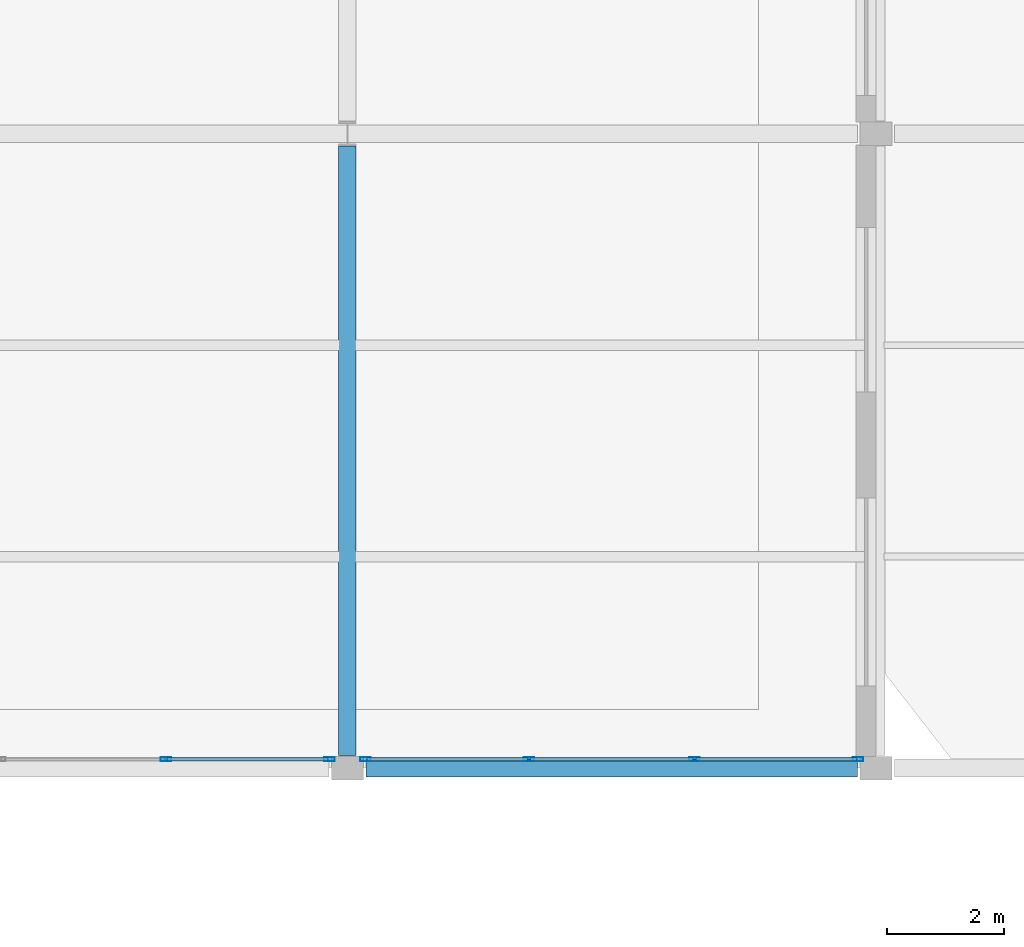
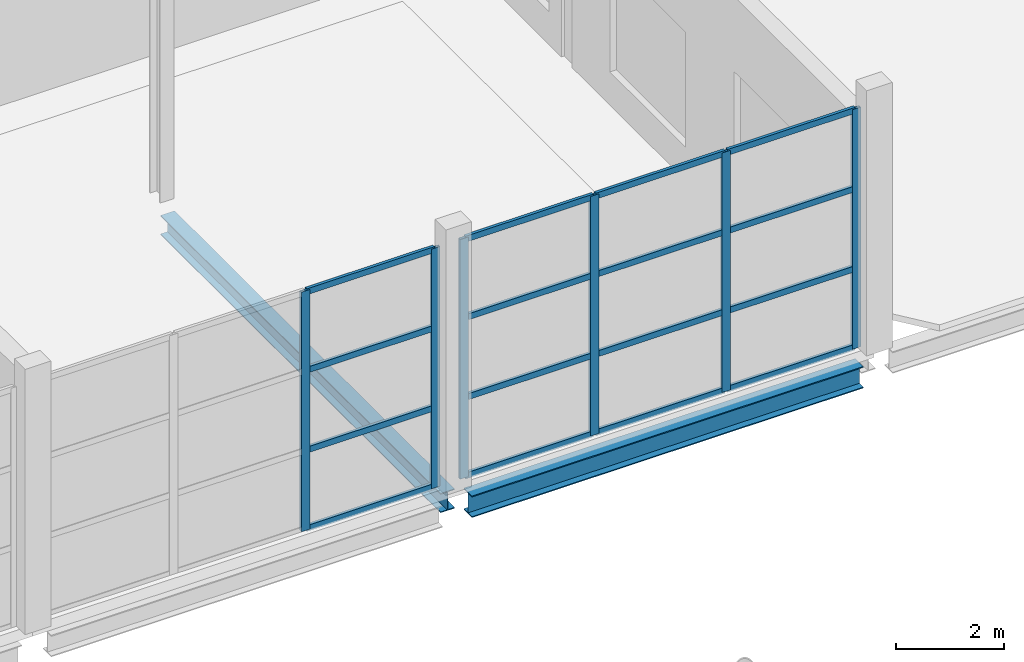
# One storey, part 79 of 191: 22 members, 2 beams, 2 elements without a shape of their own.
"""IFC4 building model written with IfcOpenShell, lengths in metres."""

from ifc_helpers import new_model, si_unit, direction, frame, origin, origin_2d, place, context, subcontext, project, spatial, hollow_rectangle, i_section, extrude, material, layer, layer_set, material_profile, profile_set, type_object, element, aggregate, save


model = new_model("IFC4")

# Units and contexts
model_context = context("Model", 3, precision=1e-05, world=origin(), true_north=direction((0.0, 1.0)))
body_context = subcontext(model_context, "Body", "Model", "MODEL_VIEW")
ifc_project = project(units=[si_unit("LENGTHUNIT", "METRE"), si_unit("AREAUNIT", "SQUARE_METRE"), si_unit("VOLUMEUNIT", "CUBIC_METRE"), si_unit("PLANEANGLEUNIT", "RADIAN"), si_unit("MASSUNIT", "GRAM", prefix="KILO")], contexts=[model_context])

# Site, building, storey
site_placement = place(None, origin())
site = spatial("IfcSite", under=ifc_project, at=site_placement, CompositionType="ELEMENT")
building_placement = place(site_placement, origin())
building = spatial("IfcBuilding", under=site, at=building_placement, Name="Tamarisk Ironworks Central Station", CompositionType="ELEMENT")
storey_placement = place(building_placement, frame((0.0, 0.0, 6.60009765625)))
storey = spatial("IfcBuildingStorey", under=building, at=storey_placement, Name="L01", CompositionType="ELEMENT", Elevation=6.60009765625)

# Beams
ifc_material_1 = material(Name="Structural steel S355J2", Category="steel")
ifc_material_profile_1 = material_profile(ifc_material_1, i_section(OverallWidth=0.300048828125, OverallDepth=0.489990234375, WebThickness=0.011962890625, FlangeThickness=0.02294921875, at=origin_2d()), Name="HEA 500")
ifc_profile_set_1 = profile_set([ifc_material_profile_1], Name="Structural steel S355J2")
beam_type_1 = type_object("IfcBeamType", Name="BM-G05", PredefinedType="BEAM", material=ifc_profile_set_1)
beam_1_placement = place(storey_placement, frame((36.31298828125, 90.0, -0.4951171875), z_axis=(1.0, 0.0, 0.0), x_axis=(0.0, 1.0, 0.0)))
element("IfcBeam", 1, at=beam_1_placement, inside=storey, type_object=beam_type_1, Name="L01 primary girder X-0097", PredefinedType="BEAM", context=body_context, shape_type="SweptSolid", body=[
    extrude(i_section(OverallWidth=0.300048828125, OverallDepth=0.489990234375, WebThickness=0.011962890625, FlangeThickness=0.02294921875, at=origin_2d()), origin(), (0.0, 0.0, 1.0), 8.3740234375),
])
ifc_material_profile_2 = material_profile(ifc_material_1, i_section(OverallWidth=0.300048828125, OverallDepth=0.43994140625, WebThickness=0.011474609375, FlangeThickness=0.02099609375, at=origin_2d()), Name="HEA 450")
ifc_profile_set_2 = profile_set([ifc_material_profile_2], Name="Structural steel S355J2")
beam_type_2 = type_object("IfcBeamType", Name="BM-G06", PredefinedType="BEAM", material=ifc_profile_set_2)
beam_2_placement = place(storey_placement, frame((36.0, 90.212890625, -0.47021484375), z_axis=(0.0, 1.0, 0.0), x_axis=(-1.0, 0.0, 0.0)))
element("IfcBeam", 2, at=beam_2_placement, inside=storey, type_object=beam_type_2, Name="L01 primary girder Y-0193", PredefinedType="BEAM", context=body_context, shape_type="SweptSolid", body=[
    extrude(i_section(OverallWidth=0.300048828125, OverallDepth=0.43994140625, WebThickness=0.011474609375, FlangeThickness=0.02099609375, at=origin_2d()), origin(), (0.0, 0.0, 1.0), 10.3740234375),
])

# Curtain wall, members
ifc_material_2 = material(Name="Anodized aluminium alloy 6063-T6", Category="aluminium")
ifc_layer = layer(ifc_material_2, 0.179931640625)
ifc_layer_set = layer_set([ifc_layer], Name="Anodized aluminium alloy 6063-T6")
curtain_wall_type = type_object("IfcCurtainWallType", Name="CW-10", PredefinedType="USERDEFINED", material=ifc_layer_set)
curtain_wall_1_placement = place(storey_placement, origin())
curtain_wall_1 = element("IfcCurtainWall", 3, at=curtain_wall_1_placement, inside=storey, type_object=curtain_wall_type, Name="Pavilion L01 S glazed arcade 27", ObjectType="GLAZED CURTAIN WALL", PredefinedType="USERDEFINED")
ifc_material_profile_3 = material_profile(ifc_material_2, hollow_rectangle(XDim=0.06494140625, YDim=0.179931640625, WallThickness=0.00390625, at=origin_2d()), Name="ALUM 180x65")
ifc_profile_set_3 = profile_set([ifc_material_profile_3], Name="Anodized aluminium alloy 6063-T6")
member_type_1 = type_object("IfcMemberType", Name="CWM-02", PredefinedType="MULLION", material=ifc_profile_set_3)
member_1_placement = place(storey_placement, frame((32.908935546875, 90.14990234375, 0.0), z_axis=(0.0, 0.0, 1.0), x_axis=(0.0, 1.0, 0.0)))
member_1 = element("IfcMember", 4, at=member_1_placement, type_object=member_type_1, Name="CW10 mullion 3", PredefinedType="MULLION", context=body_context, shape_type="SweptSolid", body=[
    extrude(hollow_rectangle(XDim=0.06494140625, YDim=0.179931640625, WallThickness=0.00390625, at=origin_2d()), origin(), (0.0, 0.0, 1.0), 5.419921875),
])
member_2_placement = place(storey_placement, frame((35.694580078125, 90.14990234375, 0.0), z_axis=(0.0, 0.0, 1.0), x_axis=(0.0, 1.0, 0.0)))
member_2 = element("IfcMember", 5, at=member_2_placement, type_object=member_type_1, Name="CW10 mullion 4", PredefinedType="MULLION", context=body_context, shape_type="SweptSolid", body=[
    extrude(hollow_rectangle(XDim=0.06494140625, YDim=0.179931640625, WallThickness=0.00390625, at=origin_2d()), origin(), (0.0, 0.0, 1.0), 5.419921875),
])

curtain_wall_2_placement = place(storey_placement, origin())
curtain_wall_2 = element("IfcCurtainWall", 6, at=curtain_wall_2_placement, inside=storey, type_object=curtain_wall_type, Name="Pavilion L01 S glazed arcade 36", ObjectType="GLAZED CURTAIN WALL", PredefinedType="USERDEFINED")
member_3_placement = place(storey_placement, frame((36.305419921875, 90.14990234375, 0.0), z_axis=(0.0, 0.0, 1.0), x_axis=(0.0, 1.0, 0.0)))
member_3 = element("IfcMember", 7, at=member_3_placement, type_object=member_type_1, Name="CW10 mullion 1", PredefinedType="MULLION", context=body_context, shape_type="SweptSolid", body=[
    extrude(hollow_rectangle(XDim=0.06494140625, YDim=0.179931640625, WallThickness=0.00390625, at=origin_2d()), origin(), (0.0, 0.0, 1.0), 5.419921875),
])
member_4_placement = place(storey_placement, frame((39.091064453125, 90.14990234375, 0.0), z_axis=(0.0, 0.0, 1.0), x_axis=(0.0, 1.0, 0.0)))
member_4 = element("IfcMember", 8, at=member_4_placement, type_object=member_type_1, Name="CW10 mullion 2", PredefinedType="MULLION", context=body_context, shape_type="SweptSolid", body=[
    extrude(hollow_rectangle(XDim=0.06494140625, YDim=0.179931640625, WallThickness=0.00390625, at=origin_2d()), origin(), (0.0, 0.0, 1.0), 5.419921875),
])
member_5_placement = place(storey_placement, frame((41.908935546875, 90.14990234375, 0.0), z_axis=(0.0, 0.0, 1.0), x_axis=(0.0, 1.0, 0.0)))
member_5 = element("IfcMember", 9, at=member_5_placement, type_object=member_type_1, Name="CW10 mullion 3", PredefinedType="MULLION", context=body_context, shape_type="SweptSolid", body=[
    extrude(hollow_rectangle(XDim=0.06494140625, YDim=0.179931640625, WallThickness=0.00390625, at=origin_2d()), origin(), (0.0, 0.0, 1.0), 5.419921875),
])
member_6_placement = place(storey_placement, frame((44.694580078125, 90.14990234375, 0.0), z_axis=(0.0, 0.0, 1.0), x_axis=(0.0, 1.0, 0.0)))
member_6 = element("IfcMember", 10, at=member_6_placement, type_object=member_type_1, Name="CW10 mullion 4", PredefinedType="MULLION", context=body_context, shape_type="SweptSolid", body=[
    extrude(hollow_rectangle(XDim=0.06494140625, YDim=0.179931640625, WallThickness=0.00390625, at=origin_2d()), origin(), (0.0, 0.0, 1.0), 5.419921875),
])

# Member
ifc_material_profile_4 = material_profile(ifc_material_2, hollow_rectangle(XDim=0.06494140625, YDim=0.135009765625, WallThickness=0.00341796875, at=origin_2d()), Name="ALUM 135x65")
ifc_profile_set_4 = profile_set([ifc_material_profile_4], Name="Anodized aluminium alloy 6063-T6")
member_type_2 = type_object("IfcMemberType", Name="CWT-02", PredefinedType="USERDEFINED", material=ifc_profile_set_4)
member_7_placement = place(storey_placement, frame((32.9375, 90.14990234375, 0.032470703125), z_axis=(1.0, 0.0, 0.0), x_axis=(0.0, 1.0, 0.0)))
member_7 = element("IfcMember", 11, at=member_7_placement, type_object=member_type_2, Name="CW10 transom 3.1", ObjectType="TRANSOM", PredefinedType="USERDEFINED", context=body_context, shape_type="SweptSolid", body=[
    extrude(hollow_rectangle(XDim=0.06494140625, YDim=0.135009765625, WallThickness=0.00341796875, at=origin_2d()), origin(), (0.0, 0.0, 1.0), 2.728515625),
])

member_8_placement = place(storey_placement, frame((32.9375, 90.14990234375, 1.806640625), z_axis=(1.0, 0.0, 0.0), x_axis=(0.0, 1.0, 0.0)))
member_8 = element("IfcMember", 12, at=member_8_placement, type_object=member_type_2, Name="CW10 transom 3.2", ObjectType="TRANSOM", PredefinedType="USERDEFINED", context=body_context, shape_type="SweptSolid", body=[
    extrude(hollow_rectangle(XDim=0.06494140625, YDim=0.135009765625, WallThickness=0.00341796875, at=origin_2d()), origin(), (0.0, 0.0, 1.0), 2.728515625),
])

member_9_placement = place(storey_placement, frame((32.9375, 90.14990234375, 3.61328125), z_axis=(1.0, 0.0, 0.0), x_axis=(0.0, 1.0, 0.0)))
member_9 = element("IfcMember", 13, at=member_9_placement, type_object=member_type_2, Name="CW10 transom 3.3", ObjectType="TRANSOM", PredefinedType="USERDEFINED", context=body_context, shape_type="SweptSolid", body=[
    extrude(hollow_rectangle(XDim=0.06494140625, YDim=0.135009765625, WallThickness=0.00341796875, at=origin_2d()), origin(), (0.0, 0.0, 1.0), 2.728515625),
])

member_10_placement = place(storey_placement, frame((32.9375, 90.14990234375, 5.387451171875), z_axis=(1.0, 0.0, 0.0), x_axis=(0.0, 1.0, 0.0)))
member_10 = element("IfcMember", 14, at=member_10_placement, type_object=member_type_2, Name="CW10 transom 3.4", ObjectType="TRANSOM", PredefinedType="USERDEFINED", context=body_context, shape_type="SweptSolid", body=[
    extrude(hollow_rectangle(XDim=0.06494140625, YDim=0.135009765625, WallThickness=0.00341796875, at=origin_2d()), origin(), (0.0, 0.0, 1.0), 2.728515625),
])

aggregate(curtain_wall_1, [member_1, member_2, member_7, member_8, member_9, member_10])

member_11_placement = place(storey_placement, frame((36.333984375, 90.14990234375, 0.032470703125), z_axis=(1.0, 0.0, 0.0), x_axis=(0.0, 1.0, 0.0)))
member_11 = element("IfcMember", 15, at=member_11_placement, type_object=member_type_2, Name="CW10 transom 1.1", ObjectType="TRANSOM", PredefinedType="USERDEFINED", context=body_context, shape_type="SweptSolid", body=[
    extrude(hollow_rectangle(XDim=0.06494140625, YDim=0.135009765625, WallThickness=0.00341796875, at=origin_2d()), origin(), (0.0, 0.0, 1.0), 2.728515625),
])

member_12_placement = place(storey_placement, frame((36.333984375, 90.14990234375, 1.806640625), z_axis=(1.0, 0.0, 0.0), x_axis=(0.0, 1.0, 0.0)))
member_12 = element("IfcMember", 16, at=member_12_placement, type_object=member_type_2, Name="CW10 transom 1.2", ObjectType="TRANSOM", PredefinedType="USERDEFINED", context=body_context, shape_type="SweptSolid", body=[
    extrude(hollow_rectangle(XDim=0.06494140625, YDim=0.135009765625, WallThickness=0.00341796875, at=origin_2d()), origin(), (0.0, 0.0, 1.0), 2.728515625),
])

member_13_placement = place(storey_placement, frame((36.333984375, 90.14990234375, 3.61328125), z_axis=(1.0, 0.0, 0.0), x_axis=(0.0, 1.0, 0.0)))
member_13 = element("IfcMember", 17, at=member_13_placement, type_object=member_type_2, Name="CW10 transom 1.3", ObjectType="TRANSOM", PredefinedType="USERDEFINED", context=body_context, shape_type="SweptSolid", body=[
    extrude(hollow_rectangle(XDim=0.06494140625, YDim=0.135009765625, WallThickness=0.00341796875, at=origin_2d()), origin(), (0.0, 0.0, 1.0), 2.728515625),
])

member_14_placement = place(storey_placement, frame((36.333984375, 90.14990234375, 5.387451171875), z_axis=(1.0, 0.0, 0.0), x_axis=(0.0, 1.0, 0.0)))
member_14 = element("IfcMember", 18, at=member_14_placement, type_object=member_type_2, Name="CW10 transom 1.4", ObjectType="TRANSOM", PredefinedType="USERDEFINED", context=body_context, shape_type="SweptSolid", body=[
    extrude(hollow_rectangle(XDim=0.06494140625, YDim=0.135009765625, WallThickness=0.00341796875, at=origin_2d()), origin(), (0.0, 0.0, 1.0), 2.728515625),
])

member_15_placement = place(storey_placement, frame((39.119384765625, 90.14990234375, 0.032470703125), z_axis=(1.0, 0.0, 0.0), x_axis=(0.0, 1.0, 0.0)))
member_15 = element("IfcMember", 19, at=member_15_placement, type_object=member_type_2, Name="CW10 transom 2.1", ObjectType="TRANSOM", PredefinedType="USERDEFINED", context=body_context, shape_type="SweptSolid", body=[
    extrude(hollow_rectangle(XDim=0.06494140625, YDim=0.135009765625, WallThickness=0.00341796875, at=origin_2d()), origin(), (0.0, 0.0, 1.0), 2.76123046875),
])

member_16_placement = place(storey_placement, frame((39.119384765625, 90.14990234375, 1.806640625), z_axis=(1.0, 0.0, 0.0), x_axis=(0.0, 1.0, 0.0)))
member_16 = element("IfcMember", 20, at=member_16_placement, type_object=member_type_2, Name="CW10 transom 2.2", ObjectType="TRANSOM", PredefinedType="USERDEFINED", context=body_context, shape_type="SweptSolid", body=[
    extrude(hollow_rectangle(XDim=0.06494140625, YDim=0.135009765625, WallThickness=0.00341796875, at=origin_2d()), origin(), (0.0, 0.0, 1.0), 2.76123046875),
])

member_17_placement = place(storey_placement, frame((39.119384765625, 90.14990234375, 3.61328125), z_axis=(1.0, 0.0, 0.0), x_axis=(0.0, 1.0, 0.0)))
member_17 = element("IfcMember", 21, at=member_17_placement, type_object=member_type_2, Name="CW10 transom 2.3", ObjectType="TRANSOM", PredefinedType="USERDEFINED", context=body_context, shape_type="SweptSolid", body=[
    extrude(hollow_rectangle(XDim=0.06494140625, YDim=0.135009765625, WallThickness=0.00341796875, at=origin_2d()), origin(), (0.0, 0.0, 1.0), 2.76123046875),
])

member_18_placement = place(storey_placement, frame((39.119384765625, 90.14990234375, 5.387451171875), z_axis=(1.0, 0.0, 0.0), x_axis=(0.0, 1.0, 0.0)))
member_18 = element("IfcMember", 22, at=member_18_placement, type_object=member_type_2, Name="CW10 transom 2.4", ObjectType="TRANSOM", PredefinedType="USERDEFINED", context=body_context, shape_type="SweptSolid", body=[
    extrude(hollow_rectangle(XDim=0.06494140625, YDim=0.135009765625, WallThickness=0.00341796875, at=origin_2d()), origin(), (0.0, 0.0, 1.0), 2.76123046875),
])

member_19_placement = place(storey_placement, frame((41.9375, 90.14990234375, 0.032470703125), z_axis=(1.0, 0.0, 0.0), x_axis=(0.0, 1.0, 0.0)))
member_19 = element("IfcMember", 23, at=member_19_placement, type_object=member_type_2, Name="CW10 transom 3.1", ObjectType="TRANSOM", PredefinedType="USERDEFINED", context=body_context, shape_type="SweptSolid", body=[
    extrude(hollow_rectangle(XDim=0.06494140625, YDim=0.135009765625, WallThickness=0.00341796875, at=origin_2d()), origin(), (0.0, 0.0, 1.0), 2.728515625),
])

member_20_placement = place(storey_placement, frame((41.9375, 90.14990234375, 1.806640625), z_axis=(1.0, 0.0, 0.0), x_axis=(0.0, 1.0, 0.0)))
member_20 = element("IfcMember", 24, at=member_20_placement, type_object=member_type_2, Name="CW10 transom 3.2", ObjectType="TRANSOM", PredefinedType="USERDEFINED", context=body_context, shape_type="SweptSolid", body=[
    extrude(hollow_rectangle(XDim=0.06494140625, YDim=0.135009765625, WallThickness=0.00341796875, at=origin_2d()), origin(), (0.0, 0.0, 1.0), 2.728515625),
])

member_21_placement = place(storey_placement, frame((41.9375, 90.14990234375, 3.61328125), z_axis=(1.0, 0.0, 0.0), x_axis=(0.0, 1.0, 0.0)))
member_21 = element("IfcMember", 25, at=member_21_placement, type_object=member_type_2, Name="CW10 transom 3.3", ObjectType="TRANSOM", PredefinedType="USERDEFINED", context=body_context, shape_type="SweptSolid", body=[
    extrude(hollow_rectangle(XDim=0.06494140625, YDim=0.135009765625, WallThickness=0.00341796875, at=origin_2d()), origin(), (0.0, 0.0, 1.0), 2.728515625),
])

member_22_placement = place(storey_placement, frame((41.9375, 90.14990234375, 5.387451171875), z_axis=(1.0, 0.0, 0.0), x_axis=(0.0, 1.0, 0.0)))
member_22 = element("IfcMember", 26, at=member_22_placement, type_object=member_type_2, Name="CW10 transom 3.4", ObjectType="TRANSOM", PredefinedType="USERDEFINED", context=body_context, shape_type="SweptSolid", body=[
    extrude(hollow_rectangle(XDim=0.06494140625, YDim=0.135009765625, WallThickness=0.00341796875, at=origin_2d()), origin(), (0.0, 0.0, 1.0), 2.728515625),
])

aggregate(curtain_wall_2, [member_3, member_4, member_5, member_6, member_11, member_12, member_13, member_14, member_15, member_16, member_17, member_18, member_19, member_20, member_21, member_22])

save(model, "model.ifc")
